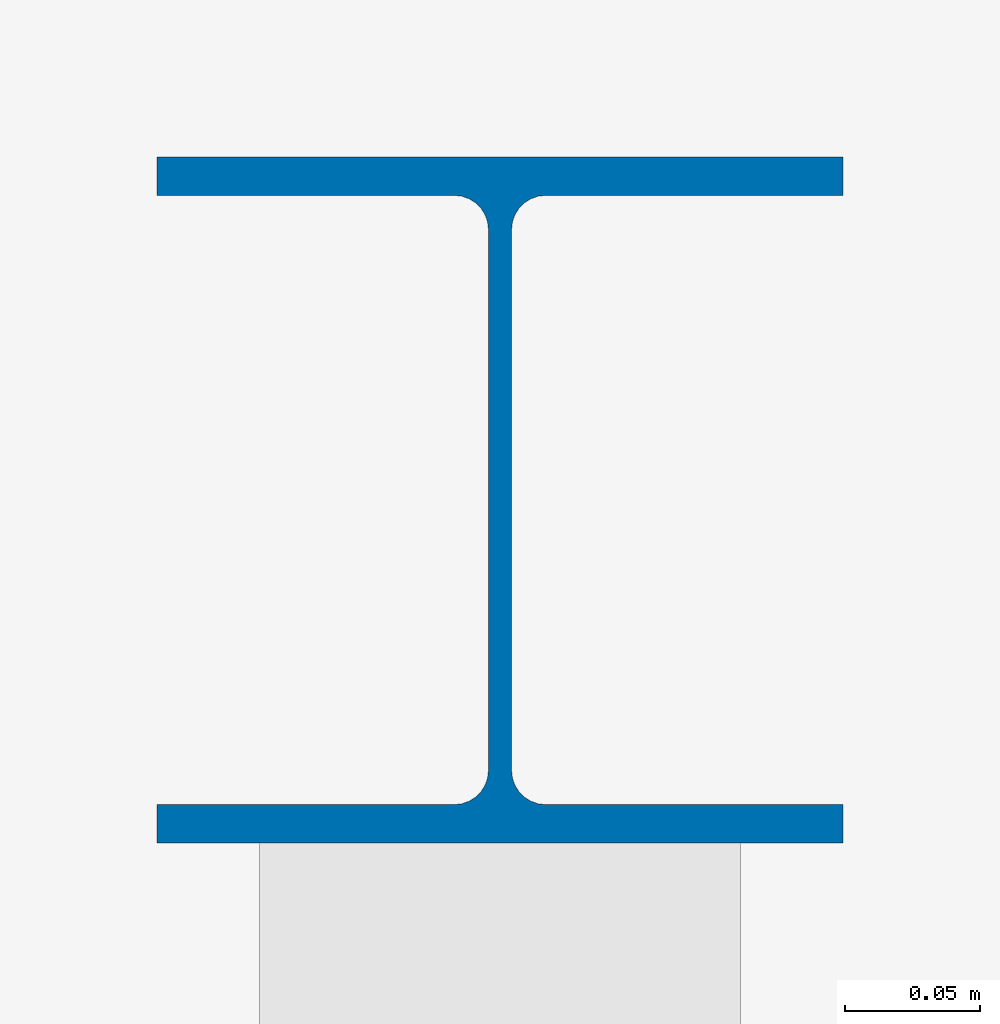
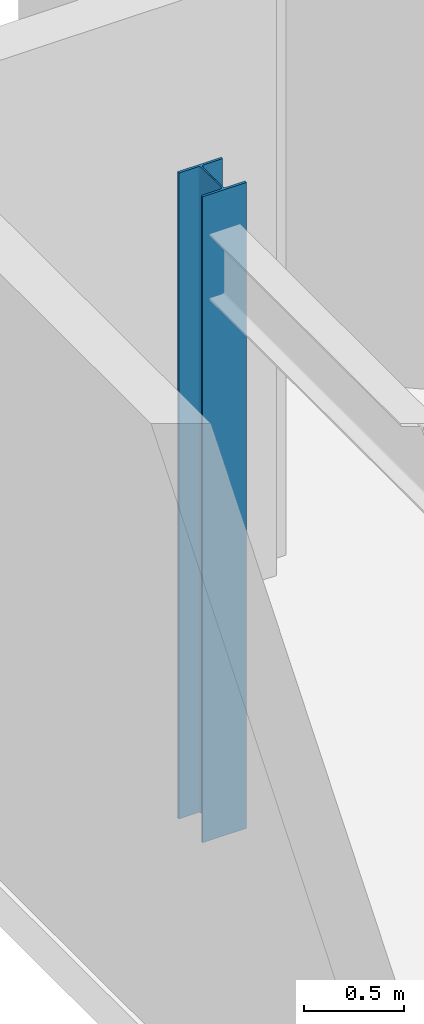
# One storey, part 4 of 17: 1 column.
"""IFC4 building model written with IfcOpenShell, lengths in metres."""

from ifc_helpers import new_model, si_unit, direction, frame, origin, origin_2d, place, context, subcontext, project, spatial, i_section, extrude, material, material_profile, profile_set, type_object, element, save


model = new_model("IFC4")

# Units and contexts
model_context = context("Model", 3, precision=1e-05, world=origin(), true_north=direction((0.0, 1.0)))
body_context = subcontext(model_context, "Body", "Model", "MODEL_VIEW")
ifc_project = project(units=[si_unit("LENGTHUNIT", "METRE"), si_unit("AREAUNIT", "SQUARE_METRE"), si_unit("VOLUMEUNIT", "CUBIC_METRE"), si_unit("PLANEANGLEUNIT", "RADIAN"), si_unit("MASSUNIT", "GRAM", prefix="KILO")], contexts=[model_context])

# Site, building, storey
site_placement = place(None, origin())
site = spatial("IfcSite", under=ifc_project, at=site_placement, CompositionType="ELEMENT")
building_placement = place(site_placement, origin())
building = spatial("IfcBuilding", under=site, at=building_placement, Name="Varnakote Quay Hospital", CompositionType="ELEMENT")
storey_placement = place(building_placement, frame((0.0, 0.0, 256.550048828125)))
storey = spatial("IfcBuildingStorey", under=building, at=storey_placement, Name="L63", CompositionType="ELEMENT", Elevation=256.550048828125)

# Column
ifc_material = material(Name="Structural steel AS/NZS 3679.1 Grade 350 L0 (fy 340 MPa)", Category="steel")
ifc_material_profile = material_profile(ifc_material, i_section(OverallWidth=0.25390625, OverallDepth=0.25390625, WebThickness=0.008544921875, FlangeThickness=0.01416015625, FilletRadius=0.0126953125, at=origin_2d()), Name="250UC72.9")
ifc_profile_set = profile_set([ifc_material_profile], Name="Structural steel AS/NZS 3679.1 Grade 350 L0 (fy 340 MPa)")
column_type = type_object("IfcColumnType", Name="COL-STL-250UC72-9", PredefinedType="COLUMN", material=ifc_profile_set)
column_placement = place(storey_placement, frame((1.199951171875, 37.199951171875, 0.0), z_axis=(0.0, 0.0, 1.0), x_axis=(1.0, 0.0, 0.0)))
element("IfcColumn", 1, at=column_placement, inside=storey, type_object=column_type, Name="L63 Structural Column C-1-37", PredefinedType="COLUMN", context=body_context, shape_type="SweptSolid", body=[
    extrude(i_section(OverallWidth=0.25390625, OverallDepth=0.25390625, WebThickness=0.008544921875, FlangeThickness=0.01416015625, FilletRadius=0.0126953125, at=origin_2d()), origin(), (0.0, 0.0, 1.0), 3.949951171875),
])

save(model, "model.ifc")
